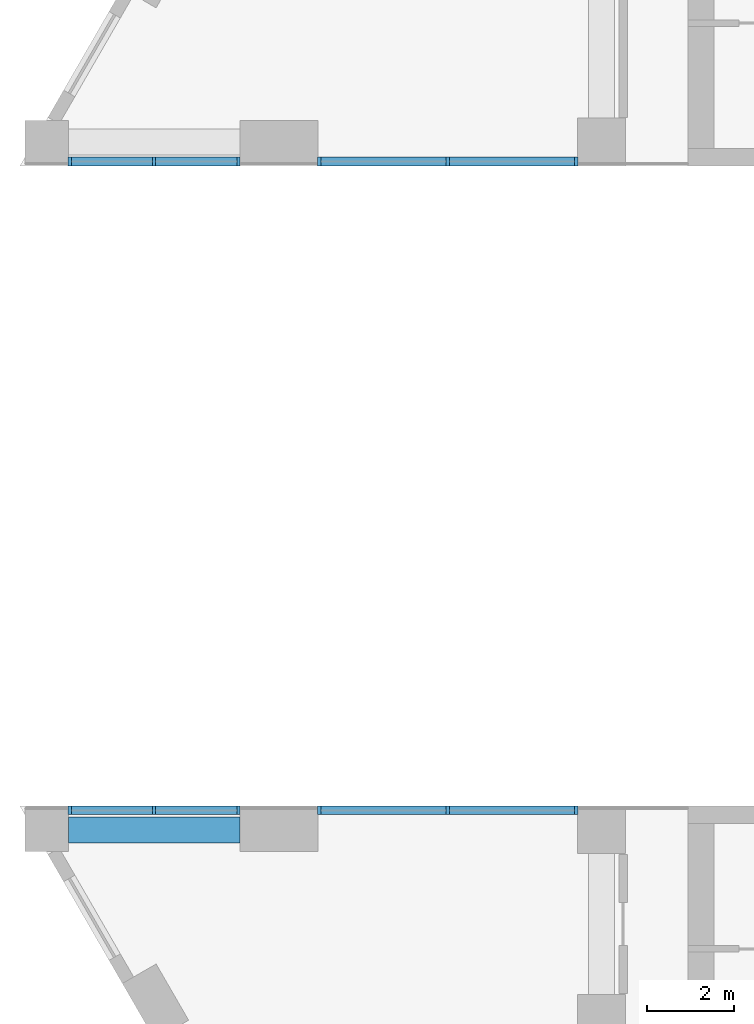
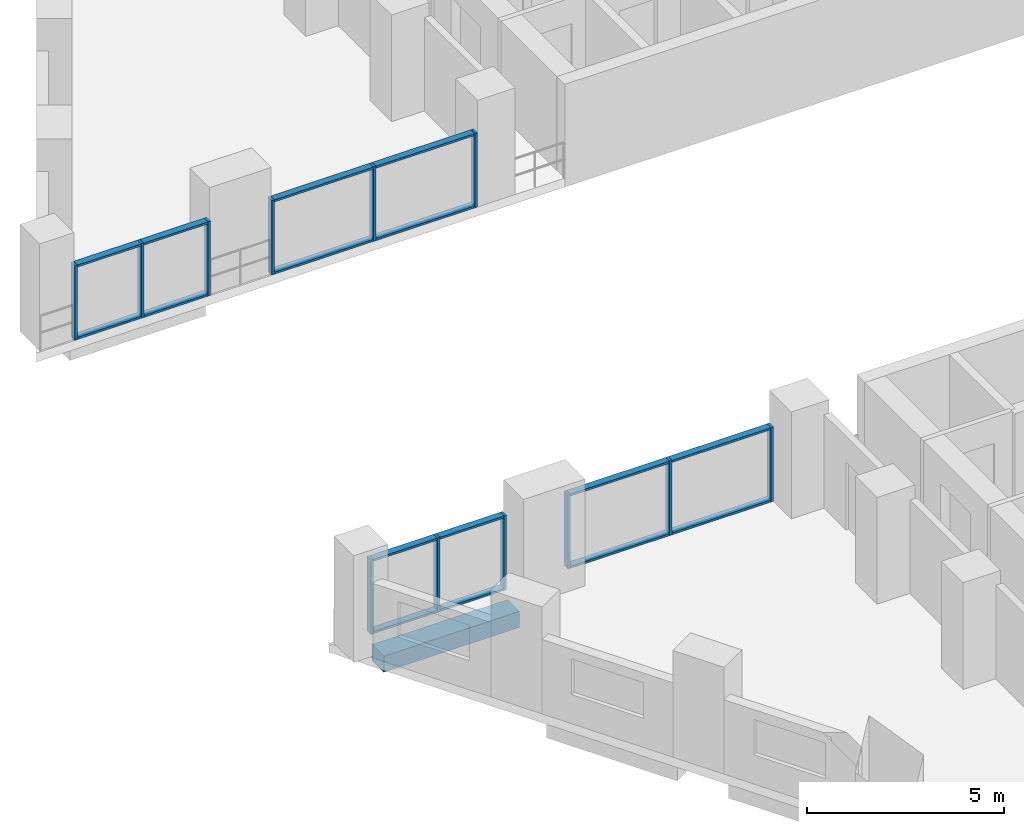
# One storey, part 2 of 11: 28 members, 1 beam, 4 elements without a shape of their own.
"""IFC4 building model written with IfcOpenShell, lengths in metres."""

from ifc_helpers import new_model, si_unit, direction, frame, origin, origin_2d, place, context, subcontext, project, spatial, rectangle, extrude, material, layer, layer_set, material_profile, profile_set, type_object, element, aggregate, save


model = new_model("IFC4")

# Units and contexts
model_context = context("Model", 3, precision=1e-05, world=origin(), true_north=direction((0.0, 1.0)))
body_context = subcontext(model_context, "Body", "Model", "MODEL_VIEW")
ifc_project = project(units=[si_unit("LENGTHUNIT", "METRE"), si_unit("AREAUNIT", "SQUARE_METRE"), si_unit("VOLUMEUNIT", "CUBIC_METRE"), si_unit("PLANEANGLEUNIT", "RADIAN"), si_unit("MASSUNIT", "GRAM", prefix="KILO")], contexts=[model_context])

# Site, building, storey
site_placement = place(None, origin())
site = spatial("IfcSite", under=ifc_project, at=site_placement, CompositionType="ELEMENT")
building_placement = place(site_placement, origin())
building = spatial("IfcBuilding", under=site, at=building_placement, Name="Nakaniwa Court", CompositionType="ELEMENT")
storey_placement = place(building_placement, frame((0.0, 0.0, 34.800048828125)))
storey = spatial("IfcBuildingStorey", under=building, at=storey_placement, Name="L08", CompositionType="ELEMENT", Elevation=34.800048828125)

# Beam
ifc_material_1 = material(Name="Concrete C100/115", Category="concrete")
ifc_material_profile_1 = material_profile(ifc_material_1, rectangle(XDim=0.60009765625, YDim=0.5, at=origin_2d()), Name="Concrete C100/115 RC 600x500 ring beam")
ifc_profile_set_1 = profile_set([ifc_material_profile_1], Name="Concrete C100/115")
beam_type = type_object("IfcBeamType", Name="Concrete C100/115 RC 600x500 ring beam", PredefinedType="BEAM", material=ifc_profile_set_1)
beam_placement = place(storey_placement, frame((57.677001953125, 72.050048828125, -0.525146484375), z_axis=(1.0, 0.0, 0.0), x_axis=(0.0, 1.0, 0.0)))
element("IfcBeam", 1, at=beam_placement, inside=storey, type_object=beam_type, Name="RING BEAM", PredefinedType="BEAM", context=body_context, shape_type="SweptSolid", body=[
    extrude(rectangle(XDim=0.60009765625, YDim=0.5, at=origin_2d()), origin(), (0.0, 0.0, 1.0), 3.965087890625),
])

# Curtain wall, members
ifc_material_2 = material(Name="Black anodised aluminium frame with dark low-E laminated double glazing", Category="aluminium")
ifc_layer = layer(ifc_material_2, 0.199951171875)
ifc_layer_set = layer_set([ifc_layer], Name="Black anodised aluminium frame with dark low-E laminated double glazing")
curtain_wall_type = type_object("IfcCurtainWallType", Name="Portal side curtain wall", PredefinedType="NOTDEFINED", material=ifc_layer_set)
curtain_wall_1_placement = place(storey_placement, origin())
curtain_wall_1 = element("IfcCurtainWall", 2, at=curtain_wall_1_placement, inside=storey, type_object=curtain_wall_type, Name="L08 curtain wall CW5 04", PredefinedType="NOTDEFINED")
ifc_material_3 = material(Name="Black anodised aluminium extrusion", Category="aluminium")
ifc_material_profile_2 = material_profile(ifc_material_3, rectangle(XDim=0.199951171875, YDim=0.074951171875, at=origin_2d()), Name="Portal side curtain wall mullion 75x200")
ifc_profile_set_2 = profile_set([ifc_material_profile_2], Name="Black anodised aluminium extrusion")
member_type_1 = type_object("IfcMemberType", Name="Portal side curtain wall mullion 75x200", PredefinedType="MULLION", material=ifc_profile_set_2)
member_1_placement = place(storey_placement, frame((69.41650390625, 72.5, 0.0), z_axis=(0.0, 0.0, 1.0), x_axis=(0.0, -1.0, 0.0)))
member_1 = element("IfcMember", 3, at=member_1_placement, type_object=member_type_1, Name="CW5 mullion 1", PredefinedType="MULLION", context=body_context, shape_type="SweptSolid", body=[
    extrude(rectangle(XDim=0.199951171875, YDim=0.074951171875, at=origin_2d()), origin(), (0.0, 0.0, 1.0), 2.300048828125),
])
member_2_placement = place(storey_placement, frame((66.446044921875, 72.5, 0.0), z_axis=(0.0, 0.0, 1.0), x_axis=(0.0, -1.0, 0.0)))
member_2 = element("IfcMember", 4, at=member_2_placement, type_object=member_type_1, Name="CW5 mullion 2", PredefinedType="MULLION", context=body_context, shape_type="SweptSolid", body=[
    extrude(rectangle(XDim=0.199951171875, YDim=0.074951171875, at=origin_2d()), origin(), (0.0, 0.0, 1.0), 2.300048828125),
])
member_3_placement = place(storey_placement, frame((63.4755859375, 72.5, 0.0), z_axis=(0.0, 0.0, 1.0), x_axis=(0.0, -1.0, 0.0)))
member_3 = element("IfcMember", 5, at=member_3_placement, type_object=member_type_1, Name="CW5 mullion 3", PredefinedType="MULLION", context=body_context, shape_type="SweptSolid", body=[
    extrude(rectangle(XDim=0.199951171875, YDim=0.074951171875, at=origin_2d()), origin(), (0.0, 0.0, 1.0), 2.300048828125),
])

curtain_wall_2_placement = place(storey_placement, origin())
curtain_wall_2 = element("IfcCurtainWall", 6, at=curtain_wall_2_placement, inside=storey, type_object=curtain_wall_type, Name="L08 curtain wall CW5 05", PredefinedType="NOTDEFINED")
member_4_placement = place(storey_placement, frame((61.6083984375, 72.5, 0.0), z_axis=(0.0, 0.0, 1.0), x_axis=(0.0, -1.0, 0.0)))
member_4 = element("IfcMember", 7, at=member_4_placement, type_object=member_type_1, Name="CW5 mullion 1", PredefinedType="MULLION", context=body_context, shape_type="SweptSolid", body=[
    extrude(rectangle(XDim=0.199951171875, YDim=0.074951171875, at=origin_2d()), origin(), (0.0, 0.0, 1.0), 2.300048828125),
])
member_5_placement = place(storey_placement, frame((59.659423828125, 72.5, 0.0), z_axis=(0.0, 0.0, 1.0), x_axis=(0.0, -1.0, 0.0)))
member_5 = element("IfcMember", 8, at=member_5_placement, type_object=member_type_1, Name="CW5 mullion 2", PredefinedType="MULLION", context=body_context, shape_type="SweptSolid", body=[
    extrude(rectangle(XDim=0.199951171875, YDim=0.074951171875, at=origin_2d()), origin(), (0.0, 0.0, 1.0), 2.300048828125),
])
member_6_placement = place(storey_placement, frame((57.71044921875, 72.5, 0.0), z_axis=(0.0, 0.0, 1.0), x_axis=(0.0, -1.0, 0.0)))
member_6 = element("IfcMember", 9, at=member_6_placement, type_object=member_type_1, Name="CW5 mullion 3", PredefinedType="MULLION", context=body_context, shape_type="SweptSolid", body=[
    extrude(rectangle(XDim=0.199951171875, YDim=0.074951171875, at=origin_2d()), origin(), (0.0, 0.0, 1.0), 2.300048828125),
])

curtain_wall_3_placement = place(storey_placement, origin())
curtain_wall_3 = element("IfcCurtainWall", 10, at=curtain_wall_3_placement, inside=storey, type_object=curtain_wall_type, Name="L08 curtain wall CW5 17", PredefinedType="NOTDEFINED")
member_7_placement = place(storey_placement, frame((57.71044921875, 87.5, 0.0), z_axis=(0.0, 0.0, 1.0), x_axis=(0.0, 1.0, 0.0)))
member_7 = element("IfcMember", 11, at=member_7_placement, type_object=member_type_1, Name="CW5 mullion 1", PredefinedType="MULLION", context=body_context, shape_type="SweptSolid", body=[
    extrude(rectangle(XDim=0.199951171875, YDim=0.074951171875, at=origin_2d()), origin(), (0.0, 0.0, 1.0), 2.300048828125),
])
member_8_placement = place(storey_placement, frame((59.659423828125, 87.5, 0.0), z_axis=(0.0, 0.0, 1.0), x_axis=(0.0, 1.0, 0.0)))
member_8 = element("IfcMember", 12, at=member_8_placement, type_object=member_type_1, Name="CW5 mullion 2", PredefinedType="MULLION", context=body_context, shape_type="SweptSolid", body=[
    extrude(rectangle(XDim=0.199951171875, YDim=0.074951171875, at=origin_2d()), origin(), (0.0, 0.0, 1.0), 2.300048828125),
])
member_9_placement = place(storey_placement, frame((61.6083984375, 87.5, 0.0), z_axis=(0.0, 0.0, 1.0), x_axis=(0.0, 1.0, 0.0)))
member_9 = element("IfcMember", 13, at=member_9_placement, type_object=member_type_1, Name="CW5 mullion 3", PredefinedType="MULLION", context=body_context, shape_type="SweptSolid", body=[
    extrude(rectangle(XDim=0.199951171875, YDim=0.074951171875, at=origin_2d()), origin(), (0.0, 0.0, 1.0), 2.300048828125),
])

curtain_wall_4_placement = place(storey_placement, origin())
curtain_wall_4 = element("IfcCurtainWall", 14, at=curtain_wall_4_placement, inside=storey, type_object=curtain_wall_type, Name="L08 curtain wall CW5 18", PredefinedType="NOTDEFINED")
member_10_placement = place(storey_placement, frame((63.4755859375, 87.5, 0.0), z_axis=(0.0, 0.0, 1.0), x_axis=(0.0, 1.0, 0.0)))
member_10 = element("IfcMember", 15, at=member_10_placement, type_object=member_type_1, Name="CW5 mullion 1", PredefinedType="MULLION", context=body_context, shape_type="SweptSolid", body=[
    extrude(rectangle(XDim=0.199951171875, YDim=0.074951171875, at=origin_2d()), origin(), (0.0, 0.0, 1.0), 2.300048828125),
])
member_11_placement = place(storey_placement, frame((66.446044921875, 87.5, 0.0), z_axis=(0.0, 0.0, 1.0), x_axis=(0.0, 1.0, 0.0)))
member_11 = element("IfcMember", 16, at=member_11_placement, type_object=member_type_1, Name="CW5 mullion 2", PredefinedType="MULLION", context=body_context, shape_type="SweptSolid", body=[
    extrude(rectangle(XDim=0.199951171875, YDim=0.074951171875, at=origin_2d()), origin(), (0.0, 0.0, 1.0), 2.300048828125),
])
member_12_placement = place(storey_placement, frame((69.41650390625, 87.5, 0.0), z_axis=(0.0, 0.0, 1.0), x_axis=(0.0, 1.0, 0.0)))
member_12 = element("IfcMember", 17, at=member_12_placement, type_object=member_type_1, Name="CW5 mullion 3", PredefinedType="MULLION", context=body_context, shape_type="SweptSolid", body=[
    extrude(rectangle(XDim=0.199951171875, YDim=0.074951171875, at=origin_2d()), origin(), (0.0, 0.0, 1.0), 2.300048828125),
])

# Member
ifc_material_profile_3 = material_profile(ifc_material_3, rectangle(XDim=0.199951171875, YDim=0.06494140625, at=origin_2d()), Name="Portal side curtain wall transom 65x200")
ifc_profile_set_3 = profile_set([ifc_material_profile_3], Name="Black anodised aluminium extrusion")
member_type_2 = type_object("IfcMemberType", Name="Portal side curtain wall transom 65x200", PredefinedType="USERDEFINED", material=ifc_profile_set_3)
member_13_placement = place(storey_placement, frame((69.37890625, 72.5, 0.032470703125), z_axis=(-1.0, 0.0, 0.0), x_axis=(0.0, -1.0, 0.0)))
member_13 = element("IfcMember", 18, at=member_13_placement, type_object=member_type_2, Name="CW5 transom 1.1", ObjectType="TRANSOM", PredefinedType="USERDEFINED", context=body_context, shape_type="SweptSolid", body=[
    extrude(rectangle(XDim=0.199951171875, YDim=0.06494140625, at=origin_2d()), origin(), (0.0, 0.0, 1.0), 2.8955078125),
])

member_14_placement = place(storey_placement, frame((69.37890625, 72.5, 2.267333984375), z_axis=(-1.0, 0.0, 0.0), x_axis=(0.0, -1.0, 0.0)))
member_14 = element("IfcMember", 19, at=member_14_placement, type_object=member_type_2, Name="CW5 transom 1.2", ObjectType="TRANSOM", PredefinedType="USERDEFINED", context=body_context, shape_type="SweptSolid", body=[
    extrude(rectangle(XDim=0.199951171875, YDim=0.06494140625, at=origin_2d()), origin(), (0.0, 0.0, 1.0), 2.8955078125),
])

member_15_placement = place(storey_placement, frame((66.408447265625, 72.5, 0.032470703125), z_axis=(-1.0, 0.0, 0.0), x_axis=(0.0, -1.0, 0.0)))
member_15 = element("IfcMember", 20, at=member_15_placement, type_object=member_type_2, Name="CW5 transom 2.1", ObjectType="TRANSOM", PredefinedType="USERDEFINED", context=body_context, shape_type="SweptSolid", body=[
    extrude(rectangle(XDim=0.199951171875, YDim=0.06494140625, at=origin_2d()), origin(), (0.0, 0.0, 1.0), 2.8955078125),
])

member_16_placement = place(storey_placement, frame((66.408447265625, 72.5, 2.267333984375), z_axis=(-1.0, 0.0, 0.0), x_axis=(0.0, -1.0, 0.0)))
member_16 = element("IfcMember", 21, at=member_16_placement, type_object=member_type_2, Name="CW5 transom 2.2", ObjectType="TRANSOM", PredefinedType="USERDEFINED", context=body_context, shape_type="SweptSolid", body=[
    extrude(rectangle(XDim=0.199951171875, YDim=0.06494140625, at=origin_2d()), origin(), (0.0, 0.0, 1.0), 2.8955078125),
])

aggregate(curtain_wall_1, [member_1, member_2, member_3, member_13, member_14, member_15, member_16])

member_17_placement = place(storey_placement, frame((61.571044921875, 72.5, 0.032470703125), z_axis=(-1.0, 0.0, 0.0), x_axis=(0.0, -1.0, 0.0)))
member_17 = element("IfcMember", 22, at=member_17_placement, type_object=member_type_2, Name="CW5 transom 1.1", ObjectType="TRANSOM", PredefinedType="USERDEFINED", context=body_context, shape_type="SweptSolid", body=[
    extrude(rectangle(XDim=0.199951171875, YDim=0.06494140625, at=origin_2d()), origin(), (0.0, 0.0, 1.0), 1.8740234375),
])

member_18_placement = place(storey_placement, frame((61.571044921875, 72.5, 2.267333984375), z_axis=(-1.0, 0.0, 0.0), x_axis=(0.0, -1.0, 0.0)))
member_18 = element("IfcMember", 23, at=member_18_placement, type_object=member_type_2, Name="CW5 transom 1.2", ObjectType="TRANSOM", PredefinedType="USERDEFINED", context=body_context, shape_type="SweptSolid", body=[
    extrude(rectangle(XDim=0.199951171875, YDim=0.06494140625, at=origin_2d()), origin(), (0.0, 0.0, 1.0), 1.8740234375),
])

member_19_placement = place(storey_placement, frame((59.6220703125, 72.5, 0.032470703125), z_axis=(-1.0, 0.0, 0.0), x_axis=(0.0, -1.0, 0.0)))
member_19 = element("IfcMember", 24, at=member_19_placement, type_object=member_type_2, Name="CW5 transom 2.1", ObjectType="TRANSOM", PredefinedType="USERDEFINED", context=body_context, shape_type="SweptSolid", body=[
    extrude(rectangle(XDim=0.199951171875, YDim=0.06494140625, at=origin_2d()), origin(), (0.0, 0.0, 1.0), 1.8740234375),
])

member_20_placement = place(storey_placement, frame((59.6220703125, 72.5, 2.267333984375), z_axis=(-1.0, 0.0, 0.0), x_axis=(0.0, -1.0, 0.0)))
member_20 = element("IfcMember", 25, at=member_20_placement, type_object=member_type_2, Name="CW5 transom 2.2", ObjectType="TRANSOM", PredefinedType="USERDEFINED", context=body_context, shape_type="SweptSolid", body=[
    extrude(rectangle(XDim=0.199951171875, YDim=0.06494140625, at=origin_2d()), origin(), (0.0, 0.0, 1.0), 1.8740234375),
])

aggregate(curtain_wall_2, [member_4, member_5, member_6, member_17, member_18, member_19, member_20])

member_21_placement = place(storey_placement, frame((57.748046875, 87.5, 0.032470703125), z_axis=(1.0, 0.0, 0.0), x_axis=(0.0, 1.0, 0.0)))
member_21 = element("IfcMember", 26, at=member_21_placement, type_object=member_type_2, Name="CW5 transom 1.1", ObjectType="TRANSOM", PredefinedType="USERDEFINED", context=body_context, shape_type="SweptSolid", body=[
    extrude(rectangle(XDim=0.199951171875, YDim=0.06494140625, at=origin_2d()), origin(), (0.0, 0.0, 1.0), 1.8740234375),
])

member_22_placement = place(storey_placement, frame((57.748046875, 87.5, 2.267333984375), z_axis=(1.0, 0.0, 0.0), x_axis=(0.0, 1.0, 0.0)))
member_22 = element("IfcMember", 27, at=member_22_placement, type_object=member_type_2, Name="CW5 transom 1.2", ObjectType="TRANSOM", PredefinedType="USERDEFINED", context=body_context, shape_type="SweptSolid", body=[
    extrude(rectangle(XDim=0.199951171875, YDim=0.06494140625, at=origin_2d()), origin(), (0.0, 0.0, 1.0), 1.8740234375),
])

member_23_placement = place(storey_placement, frame((59.697021484375, 87.5, 0.032470703125), z_axis=(1.0, 0.0, 0.0), x_axis=(0.0, 1.0, 0.0)))
member_23 = element("IfcMember", 28, at=member_23_placement, type_object=member_type_2, Name="CW5 transom 2.1", ObjectType="TRANSOM", PredefinedType="USERDEFINED", context=body_context, shape_type="SweptSolid", body=[
    extrude(rectangle(XDim=0.199951171875, YDim=0.06494140625, at=origin_2d()), origin(), (0.0, 0.0, 1.0), 1.8740234375),
])

member_24_placement = place(storey_placement, frame((59.697021484375, 87.5, 2.267333984375), z_axis=(1.0, 0.0, 0.0), x_axis=(0.0, 1.0, 0.0)))
member_24 = element("IfcMember", 29, at=member_24_placement, type_object=member_type_2, Name="CW5 transom 2.2", ObjectType="TRANSOM", PredefinedType="USERDEFINED", context=body_context, shape_type="SweptSolid", body=[
    extrude(rectangle(XDim=0.199951171875, YDim=0.06494140625, at=origin_2d()), origin(), (0.0, 0.0, 1.0), 1.8740234375),
])

aggregate(curtain_wall_3, [member_7, member_8, member_9, member_21, member_22, member_23, member_24])

member_25_placement = place(storey_placement, frame((63.512939453125, 87.5, 0.032470703125), z_axis=(1.0, 0.0, 0.0), x_axis=(0.0, 1.0, 0.0)))
member_25 = element("IfcMember", 30, at=member_25_placement, type_object=member_type_2, Name="CW5 transom 1.1", ObjectType="TRANSOM", PredefinedType="USERDEFINED", context=body_context, shape_type="SweptSolid", body=[
    extrude(rectangle(XDim=0.199951171875, YDim=0.06494140625, at=origin_2d()), origin(), (0.0, 0.0, 1.0), 2.8955078125),
])

member_26_placement = place(storey_placement, frame((63.512939453125, 87.5, 2.267333984375), z_axis=(1.0, 0.0, 0.0), x_axis=(0.0, 1.0, 0.0)))
member_26 = element("IfcMember", 31, at=member_26_placement, type_object=member_type_2, Name="CW5 transom 1.2", ObjectType="TRANSOM", PredefinedType="USERDEFINED", context=body_context, shape_type="SweptSolid", body=[
    extrude(rectangle(XDim=0.199951171875, YDim=0.06494140625, at=origin_2d()), origin(), (0.0, 0.0, 1.0), 2.8955078125),
])

member_27_placement = place(storey_placement, frame((66.4833984375, 87.5, 0.032470703125), z_axis=(1.0, 0.0, 0.0), x_axis=(0.0, 1.0, 0.0)))
member_27 = element("IfcMember", 32, at=member_27_placement, type_object=member_type_2, Name="CW5 transom 2.1", ObjectType="TRANSOM", PredefinedType="USERDEFINED", context=body_context, shape_type="SweptSolid", body=[
    extrude(rectangle(XDim=0.199951171875, YDim=0.06494140625, at=origin_2d()), origin(), (0.0, 0.0, 1.0), 2.8955078125),
])

member_28_placement = place(storey_placement, frame((66.4833984375, 87.5, 2.267333984375), z_axis=(1.0, 0.0, 0.0), x_axis=(0.0, 1.0, 0.0)))
member_28 = element("IfcMember", 33, at=member_28_placement, type_object=member_type_2, Name="CW5 transom 2.2", ObjectType="TRANSOM", PredefinedType="USERDEFINED", context=body_context, shape_type="SweptSolid", body=[
    extrude(rectangle(XDim=0.199951171875, YDim=0.06494140625, at=origin_2d()), origin(), (0.0, 0.0, 1.0), 2.8955078125),
])

aggregate(curtain_wall_4, [member_10, member_11, member_12, member_25, member_26, member_27, member_28])

save(model, "model.ifc")
